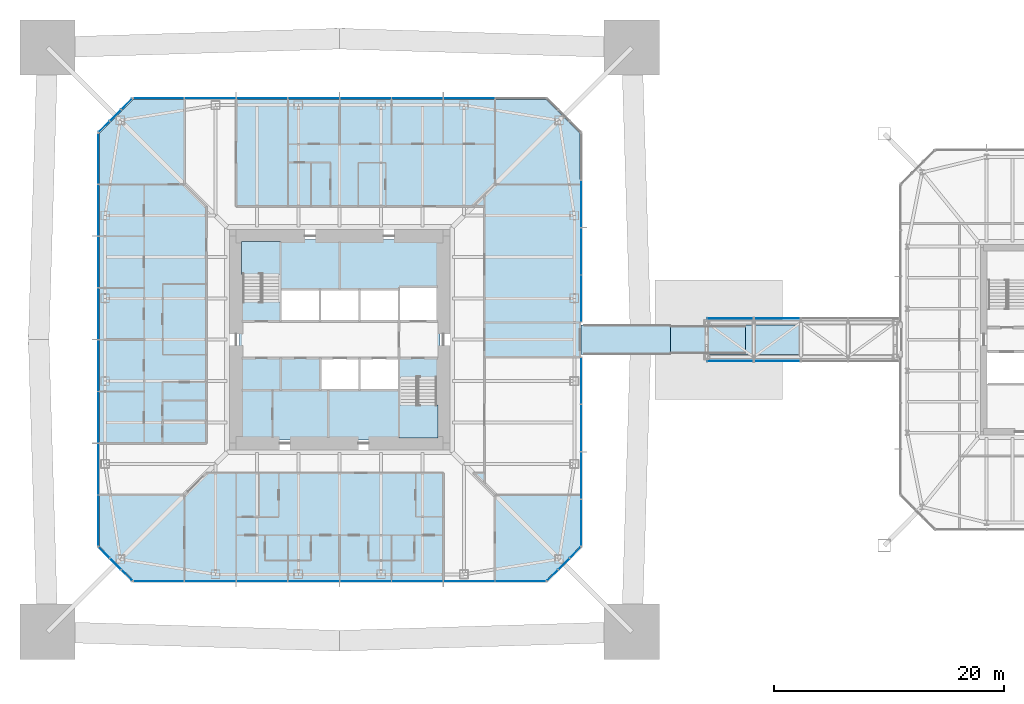
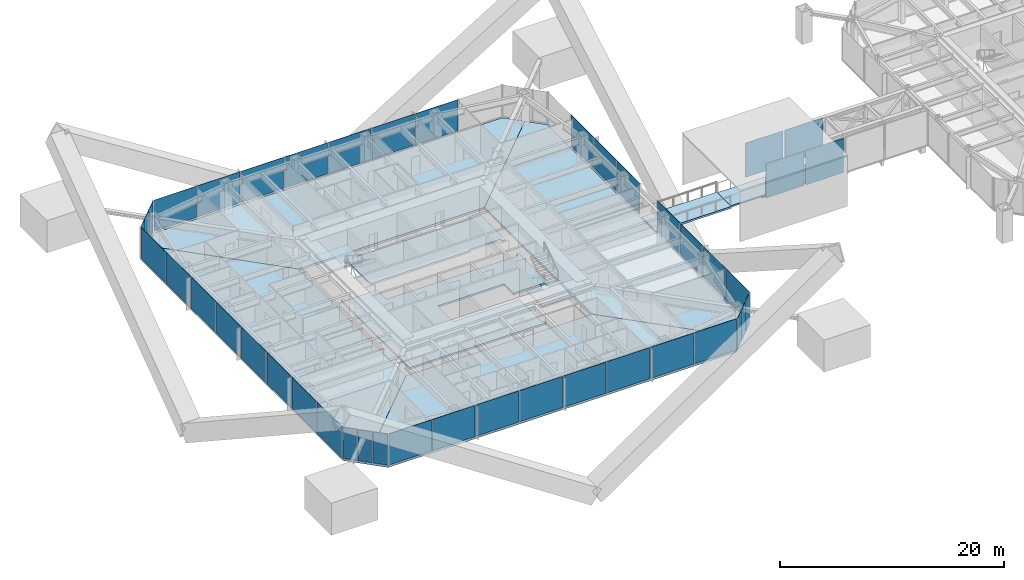
# One storey, part 14 of 28: 43 plates, 11 slabs, 14 elements without a shape of their own.
"""IFC4 building model written with IfcOpenShell, lengths in metres."""

from ifc_helpers import new_model, si_unit, direction, frame, origin, origin_2d, place, context, subcontext, project, spatial, polyline, rectangle, outline, extrude, material, layer, layer_set, constituent, constituent_set, type_object, element, aggregate, save


model = new_model("IFC4")

# Units and contexts
model_context = context("Model", 3, precision=1e-05, world=origin(), true_north=direction((0.0, 1.0)))
body_context = subcontext(model_context, "Body", "Model", "MODEL_VIEW")
ifc_project = project(units=[si_unit("LENGTHUNIT", "METRE"), si_unit("AREAUNIT", "SQUARE_METRE"), si_unit("VOLUMEUNIT", "CUBIC_METRE"), si_unit("PLANEANGLEUNIT", "RADIAN"), si_unit("MASSUNIT", "GRAM", prefix="KILO")], contexts=[model_context])

# Site, building, storey
site_placement = place(None, origin())
site = spatial("IfcSite", under=ifc_project, at=site_placement, CompositionType="ELEMENT")
building_placement = place(site_placement, origin())
building = spatial("IfcBuilding", under=site, at=building_placement, Name="Iwan Alto Co-Living Towers", CompositionType="ELEMENT")
storey_placement = place(building_placement, frame((0.0, 0.0, 98.0)))
storey = spatial("IfcBuildingStorey", under=building, at=storey_placement, Name="L26", CompositionType="ELEMENT", Elevation=98.0)

# Slabs
ifc_material_1 = material(Name="Steel ASTM A36", Category="steel")
ifc_layer_1 = layer(ifc_material_1, 0.050048828125)
ifc_layer_set_1 = layer_set([ifc_layer_1], Name="BRIDGE DECK RECESS PLATE 50")
slab_type_1 = type_object("IfcSlabType", Name="BRIDGE DECK RECESS PLATE 50", PredefinedType="FLOOR", material=ifc_layer_set_1)
slab_1_placement = place(storey_placement, frame((0.0, 0.0, -0.199951171875)))
element("IfcSlab", 1, at=slab_1_placement, inside=storey, type_object=slab_type_1, Name="Skybridge BR1 deck recess under the gangway", PredefinedType="FLOOR", context=body_context, shape_type="SweptSolid", body=[
    extrude(outline(polyline([(31.89990234375, -1.300048828125), (40.10009765625, -1.300048828125), (40.10009765625, 1.300048828125), (31.89990234375, 1.300048828125), (31.89990234375, -1.300048828125)])), origin(), (0.0, 0.0, 1.0), 0.050048828125),
])
ifc_material_2 = material(Name="Steel ASTM A36 chequer plate", Category="steel")
ifc_layer_2 = layer(ifc_material_2, 0.010009765625, Name="Chequer plate finish", Category="Finish")
ifc_material_3 = material(Name="Steel ASTM A36", Category="steel")
ifc_layer_3 = layer(ifc_material_3, 0.139892578125, Name="Orthotropic plate deck", Category="LoadBearing")
ifc_layer_set_2 = layer_set([ifc_layer_2, ifc_layer_3], Name="BRIDGE JOINT GANGWAY 150")
slab_type_2 = type_object("IfcSlabType", Name="BRIDGE JOINT GANGWAY 150", PredefinedType="FLOOR", material=ifc_layer_set_2)
slab_2_placement = place(storey_placement, frame((0.0, 0.0, -0.14990234375)))
element("IfcSlab", 2, at=slab_2_placement, inside=storey, type_object=slab_type_2, Name="Skybridge BR1 joint gangway", PredefinedType="FLOOR", context=body_context, shape_type="SweptSolid", body=[
    extrude(outline(polyline([(28.75, -1.199951171875), (35.300048828125, -1.199951171875), (35.300048828125, 1.199951171875), (28.75, 1.199951171875), (28.75, -1.199951171875)])), origin(), (0.0, 0.0, 1.0), 0.14990234375),
])
ifc_material_4 = material(Name="Concrete f'c 30 MPa", Category="concrete")
ifc_layer_4 = layer(ifc_material_4, 0.199951171875)
ifc_layer_set_3 = layer_set([ifc_layer_4], Name="BRIDGE LANDING SLAB 200")
slab_type_3 = type_object("IfcSlabType", Name="BRIDGE LANDING SLAB 200", PredefinedType="FLOOR", material=ifc_layer_set_3)
slab_3_placement = place(storey_placement, frame((0.0, 0.0, -0.199951171875)))
element("IfcSlab", 3, at=slab_3_placement, inside=storey, type_object=slab_type_3, Name="Skybridge BR1 walkway and landing", PredefinedType="FLOOR", context=body_context, shape_type="SweptSolid", body=[
    extrude(outline(polyline([(21.0, -1.300048828125), (28.75, -1.300048828125), (28.75, 1.300048828125), (21.0, 1.300048828125), (21.0, -1.300048828125)])), origin(), (0.0, 0.0, 1.0), 0.199951171875),
])
ifc_material_5 = material(Name="Concrete f'c 30 MPa", Category="concrete")
ifc_layer_5 = layer(ifc_material_5, 0.199951171875)
ifc_layer_set_4 = layer_set([ifc_layer_5], Name="CORE FLOOR SLAB 200")
slab_type_4 = type_object("IfcSlabType", Name="CORE FLOOR SLAB 200", PredefinedType="FLOOR", material=ifc_layer_set_4)
slab_4_placement = place(storey_placement, frame((0.0, 0.0, -0.199951171875)))
element("IfcSlab", 4, at=slab_4_placement, inside=storey, type_object=slab_type_4, Name="T1 core floor L26", PredefinedType="FLOOR", context=body_context, shape_type="SweptSolid", body=[
    extrude(outline(polyline([(5.14990234375, -1.60009765625), (1.72509765625, -1.60009765625), (-1.699951171875, -1.60009765625), (-1.699951171875, -4.39990234375), (1.72509765625, -4.39990234375), (5.14990234375, -4.39990234375), (5.14990234375, -8.39990234375), (5.4599609375, -8.39990234375), (5.4599609375, -8.699951171875), (-8.699951171875, -8.699951171875), (-8.699951171875, 3.580078125), (-8.39990234375, 3.580078125), (-8.39990234375, 3.27001953125), (-5.14990234375, 3.27001953125), (-5.14990234375, 1.60009765625), (-1.717041015625, 1.60009765625), (1.717041015625, 1.60009765625), (5.14990234375, 1.60009765625), (8.39990234375, 1.60009765625), (8.39990234375, 1.909912109375), (8.699951171875, 1.909912109375), (8.699951171875, -3.580078125), (8.39990234375, -3.580078125), (8.39990234375, -3.27001953125), (5.14990234375, -3.27001953125), (5.14990234375, -1.60009765625)])), origin(), (0.0, 0.0, 1.0), 0.199951171875),
])
slab_5_placement = place(storey_placement, frame((0.0, 0.0, -0.199951171875)))
element("IfcSlab", 5, at=slab_5_placement, inside=storey, type_object=slab_type_4, Name="T1 core floor L26", PredefinedType="FLOOR", context=body_context, shape_type="SweptSolid", body=[
    extrude(outline(polyline([(1.717041015625, 4.39990234375), (-1.717041015625, 4.39990234375), (-5.14990234375, 4.39990234375), (-5.14990234375, 8.39990234375), (-5.4599609375, 8.39990234375), (-5.4599609375, 8.699951171875), (8.699951171875, 8.699951171875), (8.699951171875, 4.2900390625), (8.39990234375, 4.2900390625), (8.39990234375, 4.60009765625), (5.14990234375, 4.60009765625), (5.14990234375, 4.39990234375), (1.717041015625, 4.39990234375)])), origin(), (0.0, 0.0, 1.0), 0.199951171875),
])

# Curtain wall, plates
ifc_material_6 = material(Name="Bronze aluminium unitised frame", Category="aluminium")
curtain_wall_type_1 = type_object("IfcCurtainWallType", Name="CURTAIN WALL CW-A", PredefinedType="NOTDEFINED", material=ifc_material_6)
curtain_wall_1_placement = place(storey_placement, origin())
curtain_wall_1 = element("IfcCurtainWall", 6, at=curtain_wall_1_placement, inside=storey, type_object=curtain_wall_type_1, Name="T1 curtain wall S L26", PredefinedType="NOTDEFINED")
ifc_material_7 = material(Name="Bronze-tinted insulating glass", Category="glass")
ifc_layer_6 = layer(ifc_material_7, 0.031982421875)
ifc_layer_set_5 = layer_set([ifc_layer_6], Name="CW-A PANEL TINTED IGU 32")
plate_type_1 = type_object("IfcPlateType", Name="CW-A PANEL TINTED IGU 32", PredefinedType="CURTAIN_PANEL", material=ifc_layer_set_5)
plate_1_placement = place(storey_placement, frame((-15.72998046875, -21.0, 0.10009765625), z_axis=(0.0, 0.0, 1.0), x_axis=(1.0, 0.0, 0.0)))
plate_1 = element("IfcPlate", 7, at=plate_1_placement, type_object=plate_type_1, Name="CW-A panel 1.1", PredefinedType="CURTAIN_PANEL", context=body_context, shape_type="SweptSolid", body=[
    extrude(rectangle(XDim=4.3798828125, YDim=0.031982421875, at=origin_2d()), origin(), (0.0, 0.0, 1.0), 3.39990234375),
])
plate_2_placement = place(storey_placement, frame((-11.25, -21.0, 0.10009765625), z_axis=(0.0, 0.0, 1.0), x_axis=(1.0, 0.0, 0.0)))
plate_2 = element("IfcPlate", 8, at=plate_2_placement, type_object=plate_type_1, Name="CW-A panel 2.1", PredefinedType="CURTAIN_PANEL", context=body_context, shape_type="SweptSolid", body=[
    extrude(rectangle(XDim=4.419921875, YDim=0.031982421875, at=origin_2d()), origin(), (0.0, 0.0, 1.0), 3.39990234375),
])
plate_3_placement = place(storey_placement, frame((-6.75, -21.0, 0.10009765625), z_axis=(0.0, 0.0, 1.0), x_axis=(1.0, 0.0, 0.0)))
plate_3 = element("IfcPlate", 9, at=plate_3_placement, type_object=plate_type_1, Name="CW-A panel 3.1", PredefinedType="CURTAIN_PANEL", context=body_context, shape_type="SweptSolid", body=[
    extrude(rectangle(XDim=4.419921875, YDim=0.031982421875, at=origin_2d()), origin(), (0.0, 0.0, 1.0), 3.39990234375),
])
plate_4_placement = place(storey_placement, frame((-2.25, -21.0, 0.10009765625), z_axis=(0.0, 0.0, 1.0), x_axis=(1.0, 0.0, 0.0)))
plate_4 = element("IfcPlate", 10, at=plate_4_placement, type_object=plate_type_1, Name="CW-A panel 4.1", PredefinedType="CURTAIN_PANEL", context=body_context, shape_type="SweptSolid", body=[
    extrude(rectangle(XDim=4.419921875, YDim=0.031982421875, at=origin_2d()), origin(), (0.0, 0.0, 1.0), 3.39990234375),
])
plate_5_placement = place(storey_placement, frame((2.25, -21.0, 0.10009765625), z_axis=(0.0, 0.0, 1.0), x_axis=(1.0, 0.0, 0.0)))
plate_5 = element("IfcPlate", 11, at=plate_5_placement, type_object=plate_type_1, Name="CW-A panel 5.1", PredefinedType="CURTAIN_PANEL", context=body_context, shape_type="SweptSolid", body=[
    extrude(rectangle(XDim=4.419921875, YDim=0.031982421875, at=origin_2d()), origin(), (0.0, 0.0, 1.0), 3.39990234375),
])
plate_6_placement = place(storey_placement, frame((6.75, -21.0, 0.10009765625), z_axis=(0.0, 0.0, 1.0), x_axis=(1.0, 0.0, 0.0)))
plate_6 = element("IfcPlate", 12, at=plate_6_placement, type_object=plate_type_1, Name="CW-A panel 6.1", PredefinedType="CURTAIN_PANEL", context=body_context, shape_type="SweptSolid", body=[
    extrude(rectangle(XDim=4.419921875, YDim=0.031982421875, at=origin_2d()), origin(), (0.0, 0.0, 1.0), 3.39990234375),
])
plate_7_placement = place(storey_placement, frame((11.25, -21.0, 0.10009765625), z_axis=(0.0, 0.0, 1.0), x_axis=(1.0, 0.0, 0.0)))
plate_7 = element("IfcPlate", 13, at=plate_7_placement, type_object=plate_type_1, Name="CW-A panel 7.1", PredefinedType="CURTAIN_PANEL", context=body_context, shape_type="SweptSolid", body=[
    extrude(rectangle(XDim=4.419921875, YDim=0.031982421875, at=origin_2d()), origin(), (0.0, 0.0, 1.0), 3.39990234375),
])
plate_8_placement = place(storey_placement, frame((15.72998046875, -21.0, 0.10009765625), z_axis=(0.0, 0.0, 1.0), x_axis=(1.0, 0.0, 0.0)))
plate_8 = element("IfcPlate", 14, at=plate_8_placement, type_object=plate_type_1, Name="CW-A panel 8.1", PredefinedType="CURTAIN_PANEL", context=body_context, shape_type="SweptSolid", body=[
    extrude(rectangle(XDim=4.3798828125, YDim=0.031982421875, at=origin_2d()), origin(), (0.0, 0.0, 1.0), 3.39990234375),
])
aggregate(curtain_wall_1, [plate_1, plate_2, plate_3, plate_4, plate_5, plate_6, plate_7, plate_8])

curtain_wall_2_placement = place(storey_placement, origin())
curtain_wall_2 = element("IfcCurtainWall", 15, at=curtain_wall_2_placement, inside=storey, type_object=curtain_wall_type_1, Name="T1 curtain wall E L26 part 1", PredefinedType="NOTDEFINED")
plate_9_placement = place(storey_placement, frame((21.0, -15.91748046875, 0.10009765625), z_axis=(0.0, 0.0, 1.0), x_axis=(0.0, 1.0, 0.0)))
plate_9 = element("IfcPlate", 16, at=plate_9_placement, type_object=plate_type_1, Name="CW-A panel 1.1", PredefinedType="CURTAIN_PANEL", context=body_context, shape_type="SweptSolid", body=[
    extrude(rectangle(XDim=4.0048828125, YDim=0.031982421875, at=origin_2d()), origin(), (0.0, 0.0, 1.0), 3.39990234375),
])
plate_10_placement = place(storey_placement, frame((21.0, -11.8125, 0.10009765625), z_axis=(0.0, 0.0, 1.0), x_axis=(0.0, 1.0, 0.0)))
plate_10 = element("IfcPlate", 17, at=plate_10_placement, type_object=plate_type_1, Name="CW-A panel 2.1", PredefinedType="CURTAIN_PANEL", context=body_context, shape_type="SweptSolid", body=[
    extrude(rectangle(XDim=4.044921875, YDim=0.031982421875, at=origin_2d()), origin(), (0.0, 0.0, 1.0), 3.39990234375),
])
plate_11_placement = place(storey_placement, frame((21.0, -7.6875, 0.10009765625), z_axis=(0.0, 0.0, 1.0), x_axis=(0.0, 1.0, 0.0)))
plate_11 = element("IfcPlate", 18, at=plate_11_placement, type_object=plate_type_1, Name="CW-A panel 3.1", PredefinedType="CURTAIN_PANEL", context=body_context, shape_type="SweptSolid", body=[
    extrude(rectangle(XDim=4.044921875, YDim=0.031982421875, at=origin_2d()), origin(), (0.0, 0.0, 1.0), 3.39990234375),
])
plate_12_placement = place(storey_placement, frame((21.0, -3.58251953125, 0.10009765625), z_axis=(0.0, 0.0, 1.0), x_axis=(0.0, 1.0, 0.0)))
plate_12 = element("IfcPlate", 19, at=plate_12_placement, type_object=plate_type_1, Name="CW-A panel 4.1", PredefinedType="CURTAIN_PANEL", context=body_context, shape_type="SweptSolid", body=[
    extrude(rectangle(XDim=4.0048828125, YDim=0.031982421875, at=origin_2d()), origin(), (0.0, 0.0, 1.0), 3.39990234375),
])
aggregate(curtain_wall_2, [plate_9, plate_10, plate_11, plate_12])

curtain_wall_3_placement = place(storey_placement, origin())
curtain_wall_3 = element("IfcCurtainWall", 20, at=curtain_wall_3_placement, inside=storey, type_object=curtain_wall_type_1, Name="T1 curtain wall E L26 part 2", PredefinedType="NOTDEFINED")
plate_13_placement = place(storey_placement, frame((21.0, 3.58251953125, 0.10009765625), z_axis=(0.0, 0.0, 1.0), x_axis=(0.0, 1.0, 0.0)))
plate_13 = element("IfcPlate", 21, at=plate_13_placement, type_object=plate_type_1, Name="CW-A panel 1.1", PredefinedType="CURTAIN_PANEL", context=body_context, shape_type="SweptSolid", body=[
    extrude(rectangle(XDim=4.0048828125, YDim=0.031982421875, at=origin_2d()), origin(), (0.0, 0.0, 1.0), 3.39990234375),
])
plate_14_placement = place(storey_placement, frame((21.0, 7.6875, 0.10009765625), z_axis=(0.0, 0.0, 1.0), x_axis=(0.0, 1.0, 0.0)))
plate_14 = element("IfcPlate", 22, at=plate_14_placement, type_object=plate_type_1, Name="CW-A panel 2.1", PredefinedType="CURTAIN_PANEL", context=body_context, shape_type="SweptSolid", body=[
    extrude(rectangle(XDim=4.044921875, YDim=0.031982421875, at=origin_2d()), origin(), (0.0, 0.0, 1.0), 3.39990234375),
])
plate_15_placement = place(storey_placement, frame((21.0, 11.8125, 0.10009765625), z_axis=(0.0, 0.0, 1.0), x_axis=(0.0, 1.0, 0.0)))
plate_15 = element("IfcPlate", 23, at=plate_15_placement, type_object=plate_type_1, Name="CW-A panel 3.1", PredefinedType="CURTAIN_PANEL", context=body_context, shape_type="SweptSolid", body=[
    extrude(rectangle(XDim=4.044921875, YDim=0.031982421875, at=origin_2d()), origin(), (0.0, 0.0, 1.0), 3.39990234375),
])
aggregate(curtain_wall_3, [plate_13, plate_14, plate_15])

curtain_wall_4_placement = place(storey_placement, origin())
curtain_wall_4 = element("IfcCurtainWall", 24, at=curtain_wall_4_placement, inside=storey, type_object=curtain_wall_type_1, Name="T1 curtain wall N L26", PredefinedType="NOTDEFINED")
plate_16_placement = place(storey_placement, frame((11.25, 21.0, 0.10009765625), z_axis=(0.0, 0.0, 1.0), x_axis=(-1.0, 0.0, 0.0)))
plate_16 = element("IfcPlate", 25, at=plate_16_placement, type_object=plate_type_1, Name="CW-A panel 2.1", PredefinedType="CURTAIN_PANEL", context=body_context, shape_type="SweptSolid", body=[
    extrude(rectangle(XDim=4.419921875, YDim=0.031982421875, at=origin_2d()), origin(), (0.0, 0.0, 1.0), 3.39990234375),
])
plate_17_placement = place(storey_placement, frame((6.75, 21.0, 0.10009765625), z_axis=(0.0, 0.0, 1.0), x_axis=(-1.0, 0.0, 0.0)))
plate_17 = element("IfcPlate", 26, at=plate_17_placement, type_object=plate_type_1, Name="CW-A panel 3.1", PredefinedType="CURTAIN_PANEL", context=body_context, shape_type="SweptSolid", body=[
    extrude(rectangle(XDim=4.419921875, YDim=0.031982421875, at=origin_2d()), origin(), (0.0, 0.0, 1.0), 3.39990234375),
])
plate_18_placement = place(storey_placement, frame((2.25, 21.0, 0.10009765625), z_axis=(0.0, 0.0, 1.0), x_axis=(-1.0, 0.0, 0.0)))
plate_18 = element("IfcPlate", 27, at=plate_18_placement, type_object=plate_type_1, Name="CW-A panel 4.1", PredefinedType="CURTAIN_PANEL", context=body_context, shape_type="SweptSolid", body=[
    extrude(rectangle(XDim=4.419921875, YDim=0.031982421875, at=origin_2d()), origin(), (0.0, 0.0, 1.0), 3.39990234375),
])
plate_19_placement = place(storey_placement, frame((-2.25, 21.0, 0.10009765625), z_axis=(0.0, 0.0, 1.0), x_axis=(-1.0, 0.0, 0.0)))
plate_19 = element("IfcPlate", 28, at=plate_19_placement, type_object=plate_type_1, Name="CW-A panel 5.1", PredefinedType="CURTAIN_PANEL", context=body_context, shape_type="SweptSolid", body=[
    extrude(rectangle(XDim=4.419921875, YDim=0.031982421875, at=origin_2d()), origin(), (0.0, 0.0, 1.0), 3.39990234375),
])
plate_20_placement = place(storey_placement, frame((-6.75, 21.0, 0.10009765625), z_axis=(0.0, 0.0, 1.0), x_axis=(-1.0, 0.0, 0.0)))
plate_20 = element("IfcPlate", 29, at=plate_20_placement, type_object=plate_type_1, Name="CW-A panel 6.1", PredefinedType="CURTAIN_PANEL", context=body_context, shape_type="SweptSolid", body=[
    extrude(rectangle(XDim=4.419921875, YDim=0.031982421875, at=origin_2d()), origin(), (0.0, 0.0, 1.0), 3.39990234375),
])
plate_21_placement = place(storey_placement, frame((-11.25, 21.0, 0.10009765625), z_axis=(0.0, 0.0, 1.0), x_axis=(-1.0, 0.0, 0.0)))
plate_21 = element("IfcPlate", 30, at=plate_21_placement, type_object=plate_type_1, Name="CW-A panel 7.1", PredefinedType="CURTAIN_PANEL", context=body_context, shape_type="SweptSolid", body=[
    extrude(rectangle(XDim=4.419921875, YDim=0.031982421875, at=origin_2d()), origin(), (0.0, 0.0, 1.0), 3.39990234375),
])
plate_22_placement = place(storey_placement, frame((-15.72998046875, 21.0, 0.10009765625), z_axis=(0.0, 0.0, 1.0), x_axis=(-1.0, 0.0, 0.0)))
plate_22 = element("IfcPlate", 31, at=plate_22_placement, type_object=plate_type_1, Name="CW-A panel 8.1", PredefinedType="CURTAIN_PANEL", context=body_context, shape_type="SweptSolid", body=[
    extrude(rectangle(XDim=4.3798828125, YDim=0.031982421875, at=origin_2d()), origin(), (0.0, 0.0, 1.0), 3.39990234375),
])
aggregate(curtain_wall_4, [plate_16, plate_17, plate_18, plate_19, plate_20, plate_21, plate_22])

curtain_wall_5_placement = place(storey_placement, origin())
curtain_wall_5 = element("IfcCurtainWall", 32, at=curtain_wall_5_placement, inside=storey, type_object=curtain_wall_type_1, Name="T1 curtain wall W L26", PredefinedType="NOTDEFINED")
plate_23_placement = place(storey_placement, frame((-21.0, 15.72998046875, 0.10009765625), z_axis=(0.0, 0.0, 1.0), x_axis=(0.0, -1.0, 0.0)))
plate_23 = element("IfcPlate", 33, at=plate_23_placement, type_object=plate_type_1, Name="CW-A panel 1.1", PredefinedType="CURTAIN_PANEL", context=body_context, shape_type="SweptSolid", body=[
    extrude(rectangle(XDim=4.3798828125, YDim=0.031982421875, at=origin_2d()), origin(), (0.0, 0.0, 1.0), 3.39990234375),
])
plate_24_placement = place(storey_placement, frame((-21.0, 11.25, 0.10009765625), z_axis=(0.0, 0.0, 1.0), x_axis=(0.0, -1.0, 0.0)))
plate_24 = element("IfcPlate", 34, at=plate_24_placement, type_object=plate_type_1, Name="CW-A panel 2.1", PredefinedType="CURTAIN_PANEL", context=body_context, shape_type="SweptSolid", body=[
    extrude(rectangle(XDim=4.419921875, YDim=0.031982421875, at=origin_2d()), origin(), (0.0, 0.0, 1.0), 3.39990234375),
])
plate_25_placement = place(storey_placement, frame((-21.0, 6.75, 0.10009765625), z_axis=(0.0, 0.0, 1.0), x_axis=(0.0, -1.0, 0.0)))
plate_25 = element("IfcPlate", 35, at=plate_25_placement, type_object=plate_type_1, Name="CW-A panel 3.1", PredefinedType="CURTAIN_PANEL", context=body_context, shape_type="SweptSolid", body=[
    extrude(rectangle(XDim=4.419921875, YDim=0.031982421875, at=origin_2d()), origin(), (0.0, 0.0, 1.0), 3.39990234375),
])
plate_26_placement = place(storey_placement, frame((-21.0, 2.25, 0.10009765625), z_axis=(0.0, 0.0, 1.0), x_axis=(0.0, -1.0, 0.0)))
plate_26 = element("IfcPlate", 36, at=plate_26_placement, type_object=plate_type_1, Name="CW-A panel 4.1", PredefinedType="CURTAIN_PANEL", context=body_context, shape_type="SweptSolid", body=[
    extrude(rectangle(XDim=4.419921875, YDim=0.031982421875, at=origin_2d()), origin(), (0.0, 0.0, 1.0), 3.39990234375),
])
plate_27_placement = place(storey_placement, frame((-21.0, -2.25, 0.10009765625), z_axis=(0.0, 0.0, 1.0), x_axis=(0.0, -1.0, 0.0)))
plate_27 = element("IfcPlate", 37, at=plate_27_placement, type_object=plate_type_1, Name="CW-A panel 5.1", PredefinedType="CURTAIN_PANEL", context=body_context, shape_type="SweptSolid", body=[
    extrude(rectangle(XDim=4.419921875, YDim=0.031982421875, at=origin_2d()), origin(), (0.0, 0.0, 1.0), 3.39990234375),
])
plate_28_placement = place(storey_placement, frame((-21.0, -6.75, 0.10009765625), z_axis=(0.0, 0.0, 1.0), x_axis=(0.0, -1.0, 0.0)))
plate_28 = element("IfcPlate", 38, at=plate_28_placement, type_object=plate_type_1, Name="CW-A panel 6.1", PredefinedType="CURTAIN_PANEL", context=body_context, shape_type="SweptSolid", body=[
    extrude(rectangle(XDim=4.419921875, YDim=0.031982421875, at=origin_2d()), origin(), (0.0, 0.0, 1.0), 3.39990234375),
])
plate_29_placement = place(storey_placement, frame((-21.0, -11.25, 0.10009765625), z_axis=(0.0, 0.0, 1.0), x_axis=(0.0, -1.0, 0.0)))
plate_29 = element("IfcPlate", 39, at=plate_29_placement, type_object=plate_type_1, Name="CW-A panel 7.1", PredefinedType="CURTAIN_PANEL", context=body_context, shape_type="SweptSolid", body=[
    extrude(rectangle(XDim=4.419921875, YDim=0.031982421875, at=origin_2d()), origin(), (0.0, 0.0, 1.0), 3.39990234375),
])
plate_30_placement = place(storey_placement, frame((-21.0, -15.72998046875, 0.10009765625), z_axis=(0.0, 0.0, 1.0), x_axis=(0.0, -1.0, 0.0)))
plate_30 = element("IfcPlate", 40, at=plate_30_placement, type_object=plate_type_1, Name="CW-A panel 8.1", PredefinedType="CURTAIN_PANEL", context=body_context, shape_type="SweptSolid", body=[
    extrude(rectangle(XDim=4.3798828125, YDim=0.031982421875, at=origin_2d()), origin(), (0.0, 0.0, 1.0), 3.39990234375),
])
aggregate(curtain_wall_5, [plate_23, plate_24, plate_25, plate_26, plate_27, plate_28, plate_29, plate_30])

ifc_material_8 = material(Name="Bronze aluminium unitised frame", Category="aluminium")
curtain_wall_type_2 = type_object("IfcCurtainWallType", Name="CURTAIN WALL CW-B", PredefinedType="NOTDEFINED", material=ifc_material_8)
curtain_wall_6_placement = place(storey_placement, origin())
curtain_wall_6 = element("IfcCurtainWall", 41, at=curtain_wall_6_placement, inside=storey, type_object=curtain_wall_type_2, Name="T1 chamfer curtain wall SE L26", PredefinedType="NOTDEFINED")
ifc_material_9 = material(Name="Bronze-tinted insulating glass", Category="glass")
ifc_layer_7 = layer(ifc_material_9, 0.031982421875)
ifc_layer_set_6 = layer_set([ifc_layer_7], Name="CW-B PANEL TINTED IGU 32")
plate_type_2 = type_object("IfcPlateType", Name="CW-B PANEL TINTED IGU 32", PredefinedType="CURTAIN_PANEL", material=ifc_layer_set_6)
plate_31_placement = place(storey_placement, frame((18.51416015625, -20.48583984375, 0.10009765625), z_axis=(0.0, 0.0, 1.0), x_axis=(0.707106781187, 0.707106781187, 0.0)))
plate_31 = element("IfcPlate", 42, at=plate_31_placement, type_object=plate_type_2, Name="CW-B panel 1.1", PredefinedType="CURTAIN_PANEL", context=body_context, shape_type="SweptSolid", body=[
    extrude(rectangle(XDim=1.294189453125, YDim=0.031982421875, at=origin_2d()), origin(), (0.0, 0.0, 1.0), 3.39990234375),
])
plate_32_placement = place(storey_placement, frame((19.5, -19.5, 0.10009765625), z_axis=(0.0, 0.0, 1.0), x_axis=(0.707106781187, 0.707106781187, 0.0)))
plate_32 = element("IfcPlate", 43, at=plate_32_placement, type_object=plate_type_2, Name="CW-B panel 2.1", PredefinedType="CURTAIN_PANEL", context=body_context, shape_type="SweptSolid", body=[
    extrude(rectangle(XDim=1.334228515625, YDim=0.031982421875, at=origin_2d()), origin(), (0.0, 0.0, 1.0), 3.39990234375),
])
plate_33_placement = place(storey_placement, frame((20.48583984375, -18.51416015625, 0.10009765625), z_axis=(0.0, 0.0, 1.0), x_axis=(0.707106781187, 0.707106781187, 0.0)))
plate_33 = element("IfcPlate", 44, at=plate_33_placement, type_object=plate_type_2, Name="CW-B panel 3.1", PredefinedType="CURTAIN_PANEL", context=body_context, shape_type="SweptSolid", body=[
    extrude(rectangle(XDim=1.294189453125, YDim=0.031982421875, at=origin_2d()), origin(), (0.0, 0.0, 1.0), 3.39990234375),
])
aggregate(curtain_wall_6, [plate_31, plate_32, plate_33])

curtain_wall_7_placement = place(storey_placement, origin())
curtain_wall_7 = element("IfcCurtainWall", 45, at=curtain_wall_7_placement, inside=storey, type_object=curtain_wall_type_2, Name="T1 chamfer curtain wall NW L26", PredefinedType="NOTDEFINED")
plate_34_placement = place(storey_placement, frame((-18.51416015625, 20.48583984375, 0.10009765625), z_axis=(0.0, 0.0, 1.0), x_axis=(-0.707106781187, -0.707106781187, 0.0)))
plate_34 = element("IfcPlate", 46, at=plate_34_placement, type_object=plate_type_2, Name="CW-B panel 1.1", PredefinedType="CURTAIN_PANEL", context=body_context, shape_type="SweptSolid", body=[
    extrude(rectangle(XDim=1.294189453125, YDim=0.031982421875, at=origin_2d()), origin(), (0.0, 0.0, 1.0), 3.39990234375),
])
plate_35_placement = place(storey_placement, frame((-19.5, 19.5, 0.10009765625), z_axis=(0.0, 0.0, 1.0), x_axis=(-0.707106781187, -0.707106781187, 0.0)))
plate_35 = element("IfcPlate", 47, at=plate_35_placement, type_object=plate_type_2, Name="CW-B panel 2.1", PredefinedType="CURTAIN_PANEL", context=body_context, shape_type="SweptSolid", body=[
    extrude(rectangle(XDim=1.334228515625, YDim=0.031982421875, at=origin_2d()), origin(), (0.0, 0.0, 1.0), 3.39990234375),
])
plate_36_placement = place(storey_placement, frame((-20.48583984375, 18.51416015625, 0.10009765625), z_axis=(0.0, 0.0, 1.0), x_axis=(-0.707106781187, -0.707106781187, 0.0)))
plate_36 = element("IfcPlate", 48, at=plate_36_placement, type_object=plate_type_2, Name="CW-B panel 3.1", PredefinedType="CURTAIN_PANEL", context=body_context, shape_type="SweptSolid", body=[
    extrude(rectangle(XDim=1.294189453125, YDim=0.031982421875, at=origin_2d()), origin(), (0.0, 0.0, 1.0), 3.39990234375),
])
aggregate(curtain_wall_7, [plate_34, plate_35, plate_36])

curtain_wall_8_placement = place(storey_placement, origin())
curtain_wall_8 = element("IfcCurtainWall", 49, at=curtain_wall_8_placement, inside=storey, type_object=curtain_wall_type_2, Name="T1 chamfer curtain wall SW L26", PredefinedType="NOTDEFINED")
plate_37_placement = place(storey_placement, frame((-20.48583984375, -18.51416015625, 0.10009765625), z_axis=(0.0, 0.0, 1.0), x_axis=(0.707106781187, -0.707106781187, 0.0)))
plate_37 = element("IfcPlate", 50, at=plate_37_placement, type_object=plate_type_2, Name="CW-B panel 1.1", PredefinedType="CURTAIN_PANEL", context=body_context, shape_type="SweptSolid", body=[
    extrude(rectangle(XDim=1.294189453125, YDim=0.031982421875, at=origin_2d()), origin(), (0.0, 0.0, 1.0), 3.39990234375),
])
plate_38_placement = place(storey_placement, frame((-19.5, -19.5, 0.10009765625), z_axis=(0.0, 0.0, 1.0), x_axis=(0.707106781187, -0.707106781187, 0.0)))
plate_38 = element("IfcPlate", 51, at=plate_38_placement, type_object=plate_type_2, Name="CW-B panel 2.1", PredefinedType="CURTAIN_PANEL", context=body_context, shape_type="SweptSolid", body=[
    extrude(rectangle(XDim=1.334228515625, YDim=0.031982421875, at=origin_2d()), origin(), (0.0, 0.0, 1.0), 3.39990234375),
])
plate_39_placement = place(storey_placement, frame((-18.51416015625, -20.48583984375, 0.10009765625), z_axis=(0.0, 0.0, 1.0), x_axis=(0.707106781187, -0.707106781187, 0.0)))
plate_39 = element("IfcPlate", 52, at=plate_39_placement, type_object=plate_type_2, Name="CW-B panel 3.1", PredefinedType="CURTAIN_PANEL", context=body_context, shape_type="SweptSolid", body=[
    extrude(rectangle(XDim=1.294189453125, YDim=0.031982421875, at=origin_2d()), origin(), (0.0, 0.0, 1.0), 3.39990234375),
])
aggregate(curtain_wall_8, [plate_37, plate_38, plate_39])

# Curtain wall, plate
ifc_material_10 = material(Name="Bronze aluminium stick frame", Category="aluminium")
curtain_wall_type_3 = type_object("IfcCurtainWallType", Name="CURTAIN WALL CW-F", PredefinedType="NOTDEFINED", material=ifc_material_10)
curtain_wall_9_placement = place(storey_placement, origin())
curtain_wall_9 = element("IfcCurtainWall", 53, at=curtain_wall_9_placement, inside=storey, type_object=curtain_wall_type_3, Name="Skybridge BR1 glazing S 1", PredefinedType="NOTDEFINED")
ifc_material_11 = material(Name="Insulated bronze aluminium spandrel panel", Category="aluminium")
ifc_layer_8 = layer(ifc_material_11, 0.031982421875)
ifc_layer_set_7 = layer_set([ifc_layer_8], Name="CW-F SPANDREL PANEL 32")
plate_type_3 = type_object("IfcPlateType", Name="CW-F SPANDREL PANEL 32", PredefinedType="CURTAIN_PANEL", material=ifc_layer_set_7)
plate_40_placement = place(storey_placement, frame((33.949951171875, -1.85009765625, 0.10009765625), z_axis=(0.0, 0.0, 1.0), x_axis=(1.0, 0.0, 0.0)))
plate_40 = element("IfcPlate", 54, at=plate_40_placement, type_object=plate_type_3, Name="CW-F spandrel panel 1.1 (braced bay)", PredefinedType="CURTAIN_PANEL", context=body_context, shape_type="SweptSolid", body=[
    extrude(rectangle(XDim=3.93994140625, YDim=0.031982421875, at=origin_2d()), origin(), (0.0, 0.0, 1.0), 3.75),
])
aggregate(curtain_wall_9, [plate_40])

curtain_wall_10_placement = place(storey_placement, origin())
curtain_wall_10 = element("IfcCurtainWall", 55, at=curtain_wall_10_placement, inside=storey, type_object=curtain_wall_type_3, Name="Skybridge BR1 glazing S 2", PredefinedType="NOTDEFINED")
plate_41_placement = place(storey_placement, frame((38.050048828125, -1.85009765625, 0.10009765625), z_axis=(0.0, 0.0, 1.0), x_axis=(1.0, 0.0, 0.0)))
plate_41 = element("IfcPlate", 56, at=plate_41_placement, type_object=plate_type_3, Name="CW-F spandrel panel 1.1 (braced bay)", PredefinedType="CURTAIN_PANEL", context=body_context, shape_type="SweptSolid", body=[
    extrude(rectangle(XDim=3.93994140625, YDim=0.031982421875, at=origin_2d()), origin(), (0.0, 0.0, 1.0), 3.75),
])
aggregate(curtain_wall_10, [plate_41])

curtain_wall_11_placement = place(storey_placement, origin())
curtain_wall_11 = element("IfcCurtainWall", 57, at=curtain_wall_11_placement, inside=storey, type_object=curtain_wall_type_3, Name="Skybridge BR1 glazing N 1", PredefinedType="NOTDEFINED")
plate_42_placement = place(storey_placement, frame((33.949951171875, 1.85009765625, 0.10009765625), z_axis=(0.0, 0.0, 1.0), x_axis=(-1.0, 0.0, 0.0)))
plate_42 = element("IfcPlate", 58, at=plate_42_placement, type_object=plate_type_3, Name="CW-F spandrel panel 1.1 (braced bay)", PredefinedType="CURTAIN_PANEL", context=body_context, shape_type="SweptSolid", body=[
    extrude(rectangle(XDim=3.93994140625, YDim=0.031982421875, at=origin_2d()), origin(), (0.0, 0.0, 1.0), 3.75),
])
aggregate(curtain_wall_11, [plate_42])

curtain_wall_12_placement = place(storey_placement, origin())
curtain_wall_12 = element("IfcCurtainWall", 59, at=curtain_wall_12_placement, inside=storey, type_object=curtain_wall_type_3, Name="Skybridge BR1 glazing N 2", PredefinedType="NOTDEFINED")
plate_43_placement = place(storey_placement, frame((38.050048828125, 1.85009765625, 0.10009765625), z_axis=(0.0, 0.0, 1.0), x_axis=(-1.0, 0.0, 0.0)))
plate_43 = element("IfcPlate", 60, at=plate_43_placement, type_object=plate_type_3, Name="CW-F spandrel panel 1.1 (braced bay)", PredefinedType="CURTAIN_PANEL", context=body_context, shape_type="SweptSolid", body=[
    extrude(rectangle(XDim=3.93994140625, YDim=0.031982421875, at=origin_2d()), origin(), (0.0, 0.0, 1.0), 3.75),
])
aggregate(curtain_wall_12, [plate_43])

# Stair, slab
ifc_constituent_1 = constituent(ifc_material_3, Name="Stringers", Category="LoadBearing")
ifc_material_12 = material(Name="Concrete f'c 30 MPa", Category="concrete")
ifc_constituent_2 = constituent(ifc_material_12, Name="Tread fill", Category="Finish")
ifc_constituent_set = constituent_set(constituents=[ifc_constituent_1, ifc_constituent_2], Name="STAIR 3500 TWO-FLIGHT T1 CORE")
stair_type = type_object("IfcStairType", Name="STAIR 3500 TWO-FLIGHT T1 CORE", PredefinedType="HALF_TURN_STAIR", material=ifc_constituent_set)
stair_1_placement = place(storey_placement, origin())
stair_1 = element("IfcStair", 61, at=stair_1_placement, inside=storey, type_object=stair_type, Name="Stair T1-S1 L26 to L27", PredefinedType="HALF_TURN_STAIR")
ifc_material_13 = material(Name="Concrete f'c 30 MPa", Category="concrete")
ifc_layer_9 = layer(ifc_material_13, 0.199951171875)
ifc_layer_set_8 = layer_set([ifc_layer_9], Name="STAIR LANDING 200")
slab_type_5 = type_object("IfcSlabType", Name="STAIR LANDING 200", PredefinedType="LANDING", material=ifc_layer_set_8)
slab_6_placement = place(storey_placement, frame((0.0, 0.0, 1.550048828125)))
slab_6 = element("IfcSlab", 62, at=slab_6_placement, type_object=slab_type_5, Name="T1-S1 landing 1", PredefinedType="LANDING", context=body_context, shape_type="SweptSolid", body=[
    extrude(outline(polyline([(-8.550048828125, 5.68994140625), (-8.550048828125, 8.550048828125), (-5.14990234375, 8.550048828125), (-5.14990234375, 5.68994140625), (-8.550048828125, 5.68994140625)])), origin(), (0.0, 0.0, 1.0), 0.199951171875),
])
aggregate(stair_1, [slab_6])

stair_2_placement = place(storey_placement, origin())
stair_2 = element("IfcStair", 63, at=stair_2_placement, inside=storey, type_object=stair_type, Name="Stair T1-S2 L26 to L27", PredefinedType="HALF_TURN_STAIR")
slab_7_placement = place(storey_placement, frame((0.0, 0.0, 1.550048828125)))
slab_7 = element("IfcSlab", 64, at=slab_7_placement, type_object=slab_type_5, Name="T1-S2 landing 1", PredefinedType="LANDING", context=body_context, shape_type="SweptSolid", body=[
    extrude(outline(polyline([(5.14990234375, -5.68994140625), (5.14990234375, -8.550048828125), (8.550048828125, -8.550048828125), (8.550048828125, -5.68994140625), (5.14990234375, -5.68994140625)])), origin(), (0.0, 0.0, 1.0), 0.199951171875),
])
aggregate(stair_2, [slab_7])

# Slabs
ifc_material_14 = material(Name="Concrete f'c 30 MPa", Category="concrete")
ifc_layer_10 = layer(ifc_material_14, 0.22998046875)
ifc_layer_set_9 = layer_set([ifc_layer_10], Name="T1 FLOOR SLAB 230")
slab_type_6 = type_object("IfcSlabType", Name="T1 FLOOR SLAB 230", PredefinedType="FLOOR", material=ifc_layer_set_9)
slab_8_placement = place(storey_placement, frame((0.0, 0.0, -0.22998046875)))
element("IfcSlab", 65, at=slab_8_placement, inside=storey, type_object=slab_type_6, Name="T1 floor slab L26 S pour", PredefinedType="FLOOR", context=body_context, shape_type="SweptSolid", body=[
    extrude(outline(polyline([(17.94140625, -20.89990234375), (-17.94140625, -20.89990234375), (-19.420654296875, -19.420654296875), (-9.60009765625, -9.60009765625), (9.60009765625, -9.60009765625), (19.420654296875, -19.420654296875), (17.94140625, -20.89990234375)])), origin(), (0.0, 0.0, 1.0), 0.22998046875),
])
slab_9_placement = place(storey_placement, frame((0.0, 0.0, -0.22998046875)))
element("IfcSlab", 66, at=slab_9_placement, inside=storey, type_object=slab_type_6, Name="T1 floor slab L26 E pour", PredefinedType="FLOOR", context=body_context, shape_type="SweptSolid", body=[
    extrude(outline(polyline([(20.89990234375, 17.94140625), (20.89990234375, -17.94140625), (19.420654296875, -19.420654296875), (9.60009765625, -9.60009765625), (9.60009765625, 9.60009765625), (19.420654296875, 19.420654296875), (20.89990234375, 17.94140625)])), origin(), (0.0, 0.0, 1.0), 0.22998046875),
])
slab_10_placement = place(storey_placement, frame((0.0, 0.0, -0.22998046875)))
element("IfcSlab", 67, at=slab_10_placement, inside=storey, type_object=slab_type_6, Name="T1 floor slab L26 N pour", PredefinedType="FLOOR", context=body_context, shape_type="SweptSolid", body=[
    extrude(outline(polyline([(-17.94140625, 20.89990234375), (17.94140625, 20.89990234375), (19.420654296875, 19.420654296875), (9.60009765625, 9.60009765625), (-9.60009765625, 9.60009765625), (-19.420654296875, 19.420654296875), (-17.94140625, 20.89990234375)])), origin(), (0.0, 0.0, 1.0), 0.22998046875),
])
slab_11_placement = place(storey_placement, frame((0.0, 0.0, -0.22998046875)))
element("IfcSlab", 68, at=slab_11_placement, inside=storey, type_object=slab_type_6, Name="T1 floor slab L26 W pour", PredefinedType="FLOOR", context=body_context, shape_type="SweptSolid", body=[
    extrude(outline(polyline([(-20.89990234375, 17.94140625), (-19.420654296875, 19.420654296875), (-9.60009765625, 9.60009765625), (-9.60009765625, -9.60009765625), (-19.420654296875, -19.420654296875), (-20.89990234375, -17.94140625), (-20.89990234375, 17.94140625)])), origin(), (0.0, 0.0, 1.0), 0.22998046875),
])

save(model, "model.ifc")
